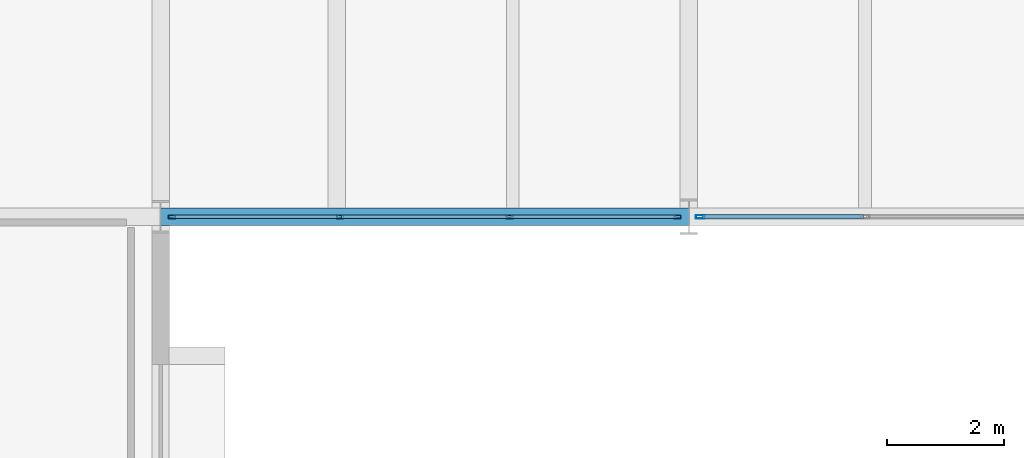
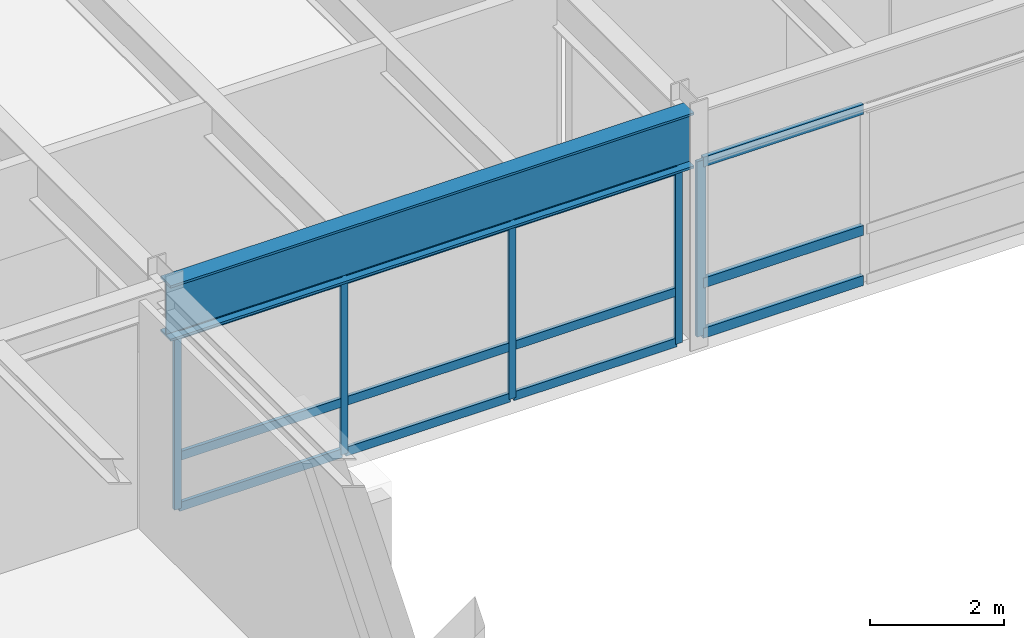
# One storey, part 82 of 115: 17 members, 1 beam, 2 elements without a shape of their own.
"""IFC4 building model written with IfcOpenShell, lengths in metres."""

from ifc_helpers import new_model, si_unit, direction, frame, origin, origin_2d, place, context, subcontext, project, spatial, hollow_rectangle, i_section, extrude, material, layer, layer_set, material_profile, profile_set, type_object, element, aggregate, save


model = new_model("IFC4")

# Units and contexts
model_context = context("Model", 3, precision=1e-05, world=origin(), true_north=direction((0.0, 1.0)))
body_context = subcontext(model_context, "Body", "Model", "MODEL_VIEW")
ifc_project = project(units=[si_unit("LENGTHUNIT", "METRE"), si_unit("AREAUNIT", "SQUARE_METRE"), si_unit("VOLUMEUNIT", "CUBIC_METRE"), si_unit("PLANEANGLEUNIT", "RADIAN"), si_unit("MASSUNIT", "GRAM", prefix="KILO")], contexts=[model_context])

# Site, building, storey
site_placement = place(None, origin())
site = spatial("IfcSite", under=ifc_project, at=site_placement, CompositionType="ELEMENT")
building_placement = place(site_placement, origin())
building = spatial("IfcBuilding", under=site, at=building_placement, Name="Montelvaro Courts of Justice", CompositionType="ELEMENT")
storey_placement = place(building_placement, frame((0.0, 0.0, 9.89990234375)))
storey = spatial("IfcBuildingStorey", under=building, at=storey_placement, Name="L02", CompositionType="ELEMENT", Elevation=9.89990234375)

# Beam
ifc_material_1 = material(Name="Steel S355", Category="steel")
ifc_material_profile_1 = material_profile(ifc_material_1, i_section(OverallWidth=0.302001953125, OverallDepth=1.008056640625, WebThickness=0.02099609375, FlangeThickness=0.0400390625, at=origin_2d()), Name="HEM 1000")
ifc_profile_set_1 = profile_set([ifc_material_profile_1], Name="Steel S355")
beam_type = type_object("IfcBeamType", Name="Beam_HEM1000", PredefinedType="USERDEFINED", material=ifc_profile_set_1)
beam_placement = place(storey_placement, frame((135.0, 78.0, 3.696044921875), z_axis=(1.0, 0.0, 0.0), x_axis=(0.0, 1.0, 0.0)))
element("IfcBeam", 1, at=beam_placement, inside=storey, type_object=beam_type, Name="Pratt Cantilever Truss Chord CTR-V2-S-L03-BS1", ObjectType="GIRDER", PredefinedType="USERDEFINED", context=body_context, shape_type="SweptSolid", body=[
    extrude(i_section(OverallWidth=0.302001953125, OverallDepth=1.008056640625, WebThickness=0.02099609375, FlangeThickness=0.0400390625, at=origin_2d()), origin(), (0.0, 0.0, 1.0), 9.0),
])

# Curtain wall, members
ifc_material_2 = material(Name="Anodised aluminium EN AW-6063", Category="aluminium")
ifc_layer_1 = layer(ifc_material_2, 0.159912109375)
ifc_layer_set_1 = layer_set([ifc_layer_1], Name="Anodised aluminium EN AW-6063")
curtain_wall_type_1 = type_object("IfcCurtainWallType", Name="CurtainWall_14_867x418", PredefinedType="USERDEFINED", material=ifc_layer_set_1)
curtain_wall_1_placement = place(storey_placement, origin())
curtain_wall_1 = element("IfcCurtainWall", 2, at=curtain_wall_1_placement, inside=storey, type_object=curtain_wall_type_1, Name="Curtain Wall CW-14 (L02)", ObjectType="CURTAIN WALL", PredefinedType="USERDEFINED")
ifc_material_profile_2 = material_profile(ifc_material_2, hollow_rectangle(XDim=0.06005859375, YDim=0.1201171875, WallThickness=0.00341796875, at=origin_2d()), Name="ALU-M 60x120")
ifc_profile_set_2 = profile_set([ifc_material_profile_2], Name="Anodised aluminium EN AW-6063")
member_type_1 = type_object("IfcMemberType", Name="CurtainWall_Mullion_60x120", PredefinedType="MULLION", material=ifc_profile_set_2)
member_1_placement = place(storey_placement, frame((135.195068359375, 78.0, 0.0), z_axis=(0.0, 0.0, 1.0), x_axis=(0.0, 1.0, 0.0)))
member_1 = element("IfcMember", 3, at=member_1_placement, type_object=member_type_1, Name="CW-14 mullion 1", PredefinedType="MULLION", context=body_context, shape_type="SweptSolid", body=[
    extrude(hollow_rectangle(XDim=0.06005859375, YDim=0.1201171875, WallThickness=0.00341796875, at=origin_2d()), origin(), (0.0, 0.0, 1.0), 3.18701171875),
])
member_2_placement = place(storey_placement, frame((138.054931640625, 78.0, 0.0), z_axis=(0.0, 0.0, 1.0), x_axis=(0.0, 1.0, 0.0)))
member_2 = element("IfcMember", 4, at=member_2_placement, type_object=member_type_1, Name="CW-14 mullion 2", PredefinedType="MULLION", context=body_context, shape_type="SweptSolid", body=[
    extrude(hollow_rectangle(XDim=0.06005859375, YDim=0.1201171875, WallThickness=0.00341796875, at=origin_2d()), origin(), (0.0, 0.0, 1.0), 3.18701171875),
])
member_3_placement = place(storey_placement, frame((140.945068359375, 78.0, 0.0), z_axis=(0.0, 0.0, 1.0), x_axis=(0.0, 1.0, 0.0)))
member_3 = element("IfcMember", 5, at=member_3_placement, type_object=member_type_1, Name="CW-14 mullion 3", PredefinedType="MULLION", context=body_context, shape_type="SweptSolid", body=[
    extrude(hollow_rectangle(XDim=0.06005859375, YDim=0.1201171875, WallThickness=0.00341796875, at=origin_2d()), origin(), (0.0, 0.0, 1.0), 3.18701171875),
])
member_4_placement = place(storey_placement, frame((143.804931640625, 78.0, 0.0), z_axis=(0.0, 0.0, 1.0), x_axis=(0.0, 1.0, 0.0)))
member_4 = element("IfcMember", 6, at=member_4_placement, type_object=member_type_1, Name="CW-14 mullion 4", PredefinedType="MULLION", context=body_context, shape_type="SweptSolid", body=[
    extrude(hollow_rectangle(XDim=0.06005859375, YDim=0.1201171875, WallThickness=0.00341796875, at=origin_2d()), origin(), (0.0, 0.0, 1.0), 3.18701171875),
])

# Curtain wall, member
ifc_layer_2 = layer(ifc_material_2, 0.159912109375)
ifc_layer_set_2 = layer_set([ifc_layer_2], Name="Anodised aluminium EN AW-6063")
curtain_wall_type_2 = type_object("IfcCurtainWallType", Name="CurtainWall_21_849x418", PredefinedType="USERDEFINED", material=ifc_layer_set_2)
curtain_wall_2_placement = place(storey_placement, origin())
curtain_wall_2 = element("IfcCurtainWall", 7, at=curtain_wall_2_placement, inside=storey, type_object=curtain_wall_type_2, Name="Curtain Wall CW-21 (L02)", ObjectType="CURTAIN WALL", PredefinedType="USERDEFINED")
ifc_material_profile_3 = material_profile(ifc_material_2, hollow_rectangle(XDim=0.06005859375, YDim=0.14990234375, WallThickness=0.00390625, at=origin_2d()), Name="ALU-M 60x150")
ifc_profile_set_3 = profile_set([ifc_material_profile_3], Name="Anodised aluminium EN AW-6063")
member_type_2 = type_object("IfcMemberType", Name="CurtainWall_Mullion_60x150", PredefinedType="MULLION", material=ifc_profile_set_3)
member_5_placement = place(storey_placement, frame((144.195068359375, 78.0, 0.0), z_axis=(0.0, 0.0, 1.0), x_axis=(0.0, 1.0, 0.0)))
member_5 = element("IfcMember", 8, at=member_5_placement, type_object=member_type_2, Name="CW-21 mullion 1", PredefinedType="MULLION", context=body_context, shape_type="SweptSolid", body=[
    extrude(hollow_rectangle(XDim=0.06005859375, YDim=0.14990234375, WallThickness=0.00390625, at=origin_2d()), origin(), (0.0, 0.0, 1.0), 3.18701171875),
])

# Member
ifc_material_profile_4 = material_profile(ifc_material_2, hollow_rectangle(XDim=0.06005859375, YDim=0.159912109375, WallThickness=0.00439453125, at=origin_2d()), Name="ALU-T 60x160")
ifc_profile_set_4 = profile_set([ifc_material_profile_4], Name="Anodised aluminium EN AW-6063")
member_type_3 = type_object("IfcMemberType", Name="CurtainWall_Transom_60x160", PredefinedType="USERDEFINED", material=ifc_profile_set_4)
member_6_placement = place(storey_placement, frame((135.22509765625, 78.0, 0.030029296875), z_axis=(1.0, 0.0, 0.0), x_axis=(0.0, 1.0, 0.0)))
member_6 = element("IfcMember", 9, at=member_6_placement, type_object=member_type_3, Name="CW-14 transom 1.1", ObjectType="TRANSOM", PredefinedType="USERDEFINED", context=body_context, shape_type="SweptSolid", body=[
    extrude(hollow_rectangle(XDim=0.06005859375, YDim=0.159912109375, WallThickness=0.00439453125, at=origin_2d()), origin(), (0.0, 0.0, 1.0), 2.7998046875),
])

member_7_placement = place(storey_placement, frame((135.22509765625, 78.0, 0.9501953125), z_axis=(1.0, 0.0, 0.0), x_axis=(0.0, 1.0, 0.0)))
member_7 = element("IfcMember", 10, at=member_7_placement, type_object=member_type_3, Name="CW-14 transom 1.2", ObjectType="TRANSOM", PredefinedType="USERDEFINED", context=body_context, shape_type="SweptSolid", body=[
    extrude(hollow_rectangle(XDim=0.06005859375, YDim=0.159912109375, WallThickness=0.00439453125, at=origin_2d()), origin(), (0.0, 0.0, 1.0), 2.7998046875),
])

member_8_placement = place(storey_placement, frame((135.22509765625, 78.0, 3.156982421875), z_axis=(1.0, 0.0, 0.0), x_axis=(0.0, 1.0, 0.0)))
member_8 = element("IfcMember", 11, at=member_8_placement, type_object=member_type_3, Name="CW-14 transom 1.3", ObjectType="TRANSOM", PredefinedType="USERDEFINED", context=body_context, shape_type="SweptSolid", body=[
    extrude(hollow_rectangle(XDim=0.06005859375, YDim=0.159912109375, WallThickness=0.00439453125, at=origin_2d()), origin(), (0.0, 0.0, 1.0), 2.7998046875),
])

member_9_placement = place(storey_placement, frame((138.0849609375, 78.0, 0.030029296875), z_axis=(1.0, 0.0, 0.0), x_axis=(0.0, 1.0, 0.0)))
member_9 = element("IfcMember", 12, at=member_9_placement, type_object=member_type_3, Name="CW-14 transom 2.1", ObjectType="TRANSOM", PredefinedType="USERDEFINED", context=body_context, shape_type="SweptSolid", body=[
    extrude(hollow_rectangle(XDim=0.06005859375, YDim=0.159912109375, WallThickness=0.00439453125, at=origin_2d()), origin(), (0.0, 0.0, 1.0), 2.830078125),
])

member_10_placement = place(storey_placement, frame((138.0849609375, 78.0, 0.9501953125), z_axis=(1.0, 0.0, 0.0), x_axis=(0.0, 1.0, 0.0)))
member_10 = element("IfcMember", 13, at=member_10_placement, type_object=member_type_3, Name="CW-14 transom 2.2", ObjectType="TRANSOM", PredefinedType="USERDEFINED", context=body_context, shape_type="SweptSolid", body=[
    extrude(hollow_rectangle(XDim=0.06005859375, YDim=0.159912109375, WallThickness=0.00439453125, at=origin_2d()), origin(), (0.0, 0.0, 1.0), 2.830078125),
])

member_11_placement = place(storey_placement, frame((138.0849609375, 78.0, 3.156982421875), z_axis=(1.0, 0.0, 0.0), x_axis=(0.0, 1.0, 0.0)))
member_11 = element("IfcMember", 14, at=member_11_placement, type_object=member_type_3, Name="CW-14 transom 2.3", ObjectType="TRANSOM", PredefinedType="USERDEFINED", context=body_context, shape_type="SweptSolid", body=[
    extrude(hollow_rectangle(XDim=0.06005859375, YDim=0.159912109375, WallThickness=0.00439453125, at=origin_2d()), origin(), (0.0, 0.0, 1.0), 2.830078125),
])

member_12_placement = place(storey_placement, frame((140.97509765625, 78.0, 0.030029296875), z_axis=(1.0, 0.0, 0.0), x_axis=(0.0, 1.0, 0.0)))
member_12 = element("IfcMember", 15, at=member_12_placement, type_object=member_type_3, Name="CW-14 transom 3.1", ObjectType="TRANSOM", PredefinedType="USERDEFINED", context=body_context, shape_type="SweptSolid", body=[
    extrude(hollow_rectangle(XDim=0.06005859375, YDim=0.159912109375, WallThickness=0.00439453125, at=origin_2d()), origin(), (0.0, 0.0, 1.0), 2.7998046875),
])

member_13_placement = place(storey_placement, frame((140.97509765625, 78.0, 0.9501953125), z_axis=(1.0, 0.0, 0.0), x_axis=(0.0, 1.0, 0.0)))
member_13 = element("IfcMember", 16, at=member_13_placement, type_object=member_type_3, Name="CW-14 transom 3.2", ObjectType="TRANSOM", PredefinedType="USERDEFINED", context=body_context, shape_type="SweptSolid", body=[
    extrude(hollow_rectangle(XDim=0.06005859375, YDim=0.159912109375, WallThickness=0.00439453125, at=origin_2d()), origin(), (0.0, 0.0, 1.0), 2.7998046875),
])

member_14_placement = place(storey_placement, frame((140.97509765625, 78.0, 3.156982421875), z_axis=(1.0, 0.0, 0.0), x_axis=(0.0, 1.0, 0.0)))
member_14 = element("IfcMember", 17, at=member_14_placement, type_object=member_type_3, Name="CW-14 transom 3.3", ObjectType="TRANSOM", PredefinedType="USERDEFINED", context=body_context, shape_type="SweptSolid", body=[
    extrude(hollow_rectangle(XDim=0.06005859375, YDim=0.159912109375, WallThickness=0.00439453125, at=origin_2d()), origin(), (0.0, 0.0, 1.0), 2.7998046875),
])

aggregate(curtain_wall_1, [member_1, member_2, member_3, member_4, member_6, member_7, member_8, member_9, member_10, member_11, member_12, member_13, member_14])

ifc_material_profile_5 = material_profile(ifc_material_2, hollow_rectangle(XDim=0.074951171875, YDim=0.179931640625, WallThickness=0.0048828125, at=origin_2d()), Name="ALU-T 75x180")
ifc_profile_set_5 = profile_set([ifc_material_profile_5], Name="Anodised aluminium EN AW-6063")
member_type_4 = type_object("IfcMemberType", Name="CurtainWall_Transom_75x180", PredefinedType="USERDEFINED", material=ifc_profile_set_5)
member_15_placement = place(storey_placement, frame((144.22509765625, 78.0, 0.03759765625), z_axis=(1.0, 0.0, 0.0), x_axis=(0.0, 1.0, 0.0)))
member_15 = element("IfcMember", 18, at=member_15_placement, type_object=member_type_4, Name="CW-21 transom 1.1", ObjectType="TRANSOM", PredefinedType="USERDEFINED", context=body_context, shape_type="SweptSolid", body=[
    extrude(hollow_rectangle(XDim=0.074951171875, YDim=0.179931640625, WallThickness=0.0048828125, at=origin_2d()), origin(), (0.0, 0.0, 1.0), 2.75),
])

member_16_placement = place(storey_placement, frame((144.22509765625, 78.0, 0.9501953125), z_axis=(1.0, 0.0, 0.0), x_axis=(0.0, 1.0, 0.0)))
member_16 = element("IfcMember", 19, at=member_16_placement, type_object=member_type_4, Name="CW-21 transom 1.2", ObjectType="TRANSOM", PredefinedType="USERDEFINED", context=body_context, shape_type="SweptSolid", body=[
    extrude(hollow_rectangle(XDim=0.074951171875, YDim=0.179931640625, WallThickness=0.0048828125, at=origin_2d()), origin(), (0.0, 0.0, 1.0), 2.75),
])

member_17_placement = place(storey_placement, frame((144.22509765625, 78.0, 3.149658203125), z_axis=(1.0, 0.0, 0.0), x_axis=(0.0, 1.0, 0.0)))
member_17 = element("IfcMember", 20, at=member_17_placement, type_object=member_type_4, Name="CW-21 transom 1.3", ObjectType="TRANSOM", PredefinedType="USERDEFINED", context=body_context, shape_type="SweptSolid", body=[
    extrude(hollow_rectangle(XDim=0.074951171875, YDim=0.179931640625, WallThickness=0.0048828125, at=origin_2d()), origin(), (0.0, 0.0, 1.0), 2.75),
])

aggregate(curtain_wall_2, [member_5, member_15, member_16, member_17])

save(model, "model.ifc")
